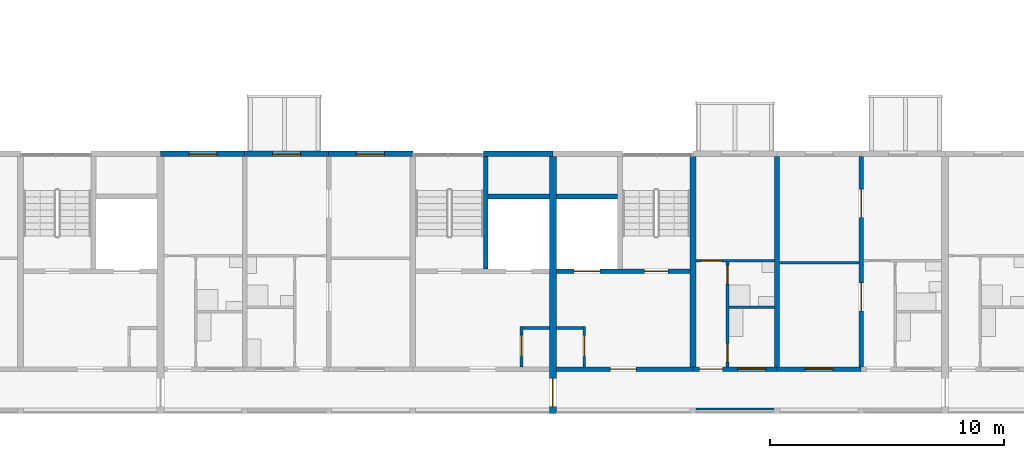
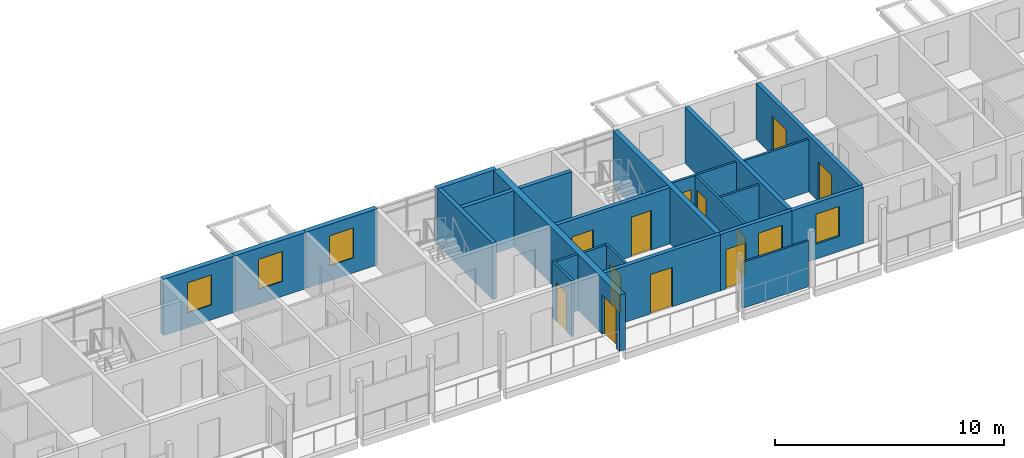
# One storey, part 35 of 94: 24 walls, 12 doors, 5 windows, 17 openings.
"""IFC4 building model written with IfcOpenShell, lengths in metres."""

from ifc_helpers import new_model, si_unit, direction, frame, frame_2d, origin, place, context, subcontext, project, spatial, rectangle, extrude, material, layer, layer_set, type_object, element, fill, save


model = new_model("IFC4")

# Units and contexts
model_context = context("Model", 3, precision=1e-05, world=origin(), true_north=direction((0.0, 1.0)))
body_context = subcontext(model_context, "Body", "Model", "MODEL_VIEW")
ifc_project = project(units=[si_unit("LENGTHUNIT", "METRE"), si_unit("AREAUNIT", "SQUARE_METRE"), si_unit("VOLUMEUNIT", "CUBIC_METRE"), si_unit("PLANEANGLEUNIT", "RADIAN"), si_unit("MASSUNIT", "GRAM", prefix="KILO")], contexts=[model_context])

# Site, building, storey
site_placement = place(None, origin())
site = spatial("IfcSite", under=ifc_project, at=site_placement, CompositionType="ELEMENT")
building_placement = place(site_placement, origin())
building = spatial("IfcBuilding", under=site, at=building_placement, Name="Ridgestep Commons", CompositionType="ELEMENT")
storey_placement = place(building_placement, frame((0.0, 0.0, 24.0)))
storey = spatial("IfcBuildingStorey", under=building, at=storey_placement, Name="L08", CompositionType="ELEMENT", Elevation=24.0)

# Wall
ifc_material_1 = material(Name="Concrete C30/37", Category="concrete")
ifc_layer_1 = layer(ifc_material_1, 0.25)
ifc_layer_set_1 = layer_set([ifc_layer_1], Name="Core cross wall 250")
wall_type_1 = type_object("IfcWallType", Name="Core cross wall 250", PredefinedType="SHEAR", material=ifc_layer_set_1)
wall_1_placement = place(storey_placement, frame((51.60009765625, 13.75, 0.0), z_axis=(0.0, 0.0, 1.0), x_axis=(0.0, 1.0, 0.0)))
element("IfcWall", 1, at=wall_1_placement, inside=storey, type_object=wall_type_1, Name="Cross wall A-08-0516", PredefinedType="SHEAR", context=body_context, shape_type="SweptSolid", body=[
    extrude(rectangle(XDim=9.0, YDim=0.25, at=frame_2d((4.5, 0.0))), origin(), (0.0, 0.0, 1.0), 3.0),
])

# Wall, opening, door
ifc_material_2 = material(Name="Concrete C30/37", Category="concrete")
ifc_layer_2 = layer(ifc_material_2, 0.199951171875)
ifc_layer_set_2 = layer_set([ifc_layer_2], Name="Core south wall 200")
wall_type_2 = type_object("IfcWallType", Name="Core south wall 200", PredefinedType="SHEAR", material=ifc_layer_set_2)
wall_2_placement = place(storey_placement, frame((45.75, 13.64990234375, 0.0), z_axis=(0.0, 0.0, 1.0), x_axis=(1.0, 0.0, 0.0)))
wall_2 = element("IfcWall", 2, at=wall_2_placement, inside=storey, type_object=wall_type_2, Name="Core south wall A3C L08", PredefinedType="SHEAR", context=body_context, shape_type="SweptSolid", body=[
    extrude(rectangle(XDim=5.85009765625, YDim=0.199951171875, at=frame_2d((2.925048828125, 0.0))), origin(), (0.0, 0.0, 1.0), 3.0),
])
opening_1_placement = place(wall_2_placement, frame((2.3125, 0.0, 0.0)))
opening_1 = element("IfcOpeningElement", 3, at=opening_1_placement, cuts=wall_2, Name="Opening A3C/08/1", PredefinedType="OPENING", context=body_context, shape_type="SweptSolid", body=[
    extrude(rectangle(XDim=1.10009765625, YDim=2.10009765625, at=frame_2d((0.550048828125, 1.050048828125))), frame((0.0, 0.10986328125, 0.0), z_axis=(0.0, -1.0, 0.0), x_axis=(1.0, 0.0, 0.0)), (0.0, 0.0, 1.0), 0.219970703125),
])
ifc_material_3 = material(Name="Steel fire door", Category="steel")
door_type_1 = type_object("IfcDoorType", Name="Lobby door 1100 x 2100 FD60", OperationType="NOTDEFINED", PredefinedType="DOOR", material=ifc_material_3)
door_1_placement = place(opening_1_placement, origin())
door_1 = element("IfcDoor", 4, at=door_1_placement, inside=storey, type_object=door_type_1, Name="Lobby door A3C/08/1", OperationType="SINGLE_SWING_LEFT", OverallHeight=2.10009765625, OverallWidth=1.10009765625, PredefinedType="DOOR", context=body_context, shape_type="SweptSolid", body=[
    extrude(rectangle(XDim=1.10009765625, YDim=2.10009765625, at=frame_2d((0.550048828125, 1.050048828125))), frame((0.0, 0.02490234375, 0.0), z_axis=(0.0, -1.0, 0.0), x_axis=(1.0, 0.0, 0.0)), (0.0, 0.0, 1.0), 0.050048828125),
])
fill(opening_1, door_1)

ifc_material_4 = material(Name="Concrete C30/37", Category="concrete")
ifc_layer_3 = layer(ifc_material_4, 0.1201171875)
ifc_layer_set_3 = layer_set([ifc_layer_3], Name="Core wall 120")
wall_type_3 = type_object("IfcWallType", Name="Core wall 120", PredefinedType="SHEAR", material=ifc_layer_set_3)
wall_3_placement = place(storey_placement, frame((44.260009765625, 13.75, 0.0), z_axis=(0.0, 0.0, 1.0), x_axis=(0.0, 1.0, 0.0)))
wall_3 = element("IfcWall", 5, at=wall_3_placement, inside=storey, type_object=wall_type_3, Name="Core riser w wall A2C L08", PredefinedType="SHEAR", context=body_context, shape_type="SweptSolid", body=[
    extrude(rectangle(XDim=1.719970703125, YDim=0.1201171875, at=frame_2d((0.85986328125, 0.0))), origin(), (0.0, 0.0, 1.0), 3.0),
])
opening_2_placement = place(wall_3_placement, frame((0.449951171875, 0.0, 0.0)))
opening_2 = element("IfcOpeningElement", 6, at=opening_2_placement, cuts=wall_3, Name="Opening A2C/08/4", PredefinedType="OPENING", context=body_context, shape_type="SweptSolid", body=[
    extrude(rectangle(XDim=0.89990234375, YDim=2.10009765625, at=frame_2d((0.449951171875, 1.050048828125))), frame((0.0, 0.070068359375, 0.0), z_axis=(0.0, -1.0, 0.0), x_axis=(1.0, 0.0, 0.0)), (0.0, 0.0, 1.0), 0.14013671875),
])
ifc_material_5 = material(Name="Steel fire door", Category="steel")
door_type_2 = type_object("IfcDoorType", Name="Riser door 900 x 2100 FD60", OperationType="NOTDEFINED", PredefinedType="DOOR", material=ifc_material_5)
door_2_placement = place(opening_2_placement, origin())
door_2 = element("IfcDoor", 7, at=door_2_placement, inside=storey, type_object=door_type_2, Name="Riser door A2C/08/4", OperationType="SINGLE_SWING_LEFT", OverallHeight=2.10009765625, OverallWidth=0.89990234375, PredefinedType="DOOR", context=body_context, shape_type="SweptSolid", body=[
    extrude(rectangle(XDim=0.89990234375, YDim=2.10009765625, at=frame_2d((0.449951171875, 1.050048828125))), frame((0.0, 0.02490234375, 0.0), z_axis=(0.0, -1.0, 0.0), x_axis=(1.0, 0.0, 0.0)), (0.0, 0.0, 1.0), 0.050048828125),
])
fill(opening_2, door_2)

# Wall
wall_4_placement = place(storey_placement, frame((44.320068359375, 15.409912109375, 0.0), z_axis=(0.0, 0.0, 1.0), x_axis=(1.0, 0.0, 0.0)))
element("IfcWall", 8, at=wall_4_placement, inside=storey, type_object=wall_type_3, Name="Core riser n wall A2C L08", PredefinedType="SHEAR", context=body_context, shape_type="SweptSolid", body=[
    extrude(rectangle(XDim=1.1298828125, YDim=0.1201171875, at=frame_2d((0.56494140625, 0.0))), origin(), (0.0, 0.0, 1.0), 3.0),
])

# Wall, opening, door
wall_5_placement = place(storey_placement, frame((46.93994140625, 13.75, 0.0), z_axis=(0.0, 0.0, 1.0), x_axis=(0.0, 1.0, 0.0)))
wall_5 = element("IfcWall", 9, at=wall_5_placement, inside=storey, type_object=wall_type_3, Name="Core riser w wall A3C L08", PredefinedType="SHEAR", context=body_context, shape_type="SweptSolid", body=[
    extrude(rectangle(XDim=1.719970703125, YDim=0.1201171875, at=frame_2d((0.85986328125, 0.0))), origin(), (0.0, 0.0, 1.0), 3.0),
])
opening_3_placement = place(wall_5_placement, frame((0.449951171875, 0.0, 0.0)))
opening_3 = element("IfcOpeningElement", 10, at=opening_3_placement, cuts=wall_5, Name="Opening A3C/08/4", PredefinedType="OPENING", context=body_context, shape_type="SweptSolid", body=[
    extrude(rectangle(XDim=0.89990234375, YDim=2.10009765625, at=frame_2d((0.449951171875, 1.050048828125))), frame((0.0, 0.070068359375, 0.0), z_axis=(0.0, -1.0, 0.0), x_axis=(1.0, 0.0, 0.0)), (0.0, 0.0, 1.0), 0.14013671875),
])
door_3_placement = place(opening_3_placement, origin())
door_3 = element("IfcDoor", 11, at=door_3_placement, inside=storey, type_object=door_type_2, Name="Riser door A3C/08/4", OperationType="SINGLE_SWING_RIGHT", OverallHeight=2.10009765625, OverallWidth=0.89990234375, PredefinedType="DOOR", context=body_context, shape_type="SweptSolid", body=[
    extrude(rectangle(XDim=0.89990234375, YDim=2.10009765625, at=frame_2d((0.449951171875, 1.050048828125))), frame((0.0, 0.02490234375, 0.0), z_axis=(0.0, -1.0, 0.0), x_axis=(1.0, 0.0, 0.0)), (0.0, 0.0, 1.0), 0.050048828125),
])
fill(opening_3, door_3)

# Walls
wall_6_placement = place(storey_placement, frame((45.75, 15.409912109375, 0.0), z_axis=(0.0, 0.0, 1.0), x_axis=(1.0, 0.0, 0.0)))
element("IfcWall", 12, at=wall_6_placement, inside=storey, type_object=wall_type_3, Name="Core riser n wall A3C L08", PredefinedType="SHEAR", context=body_context, shape_type="SweptSolid", body=[
    extrude(rectangle(XDim=1.1298828125, YDim=0.1201171875, at=frame_2d((0.56494140625, 0.0))), origin(), (0.0, 0.0, 1.0), 3.0),
])
ifc_material_6 = material(Name="Concrete C30/37", Category="concrete")
ifc_layer_4 = layer(ifc_material_6, 0.199951171875)
ifc_layer_set_4 = layer_set([ifc_layer_4], Name="Core wall 200")
wall_type_4 = type_object("IfcWallType", Name="Core wall 200", PredefinedType="SHEAR", material=ifc_layer_set_4)
wall_7_placement = place(storey_placement, frame((42.72509765625, 17.949951171875, 0.0), z_axis=(0.0, 0.0, 1.0), x_axis=(0.0, 1.0, 0.0)))
element("IfcWall", 13, at=wall_7_placement, inside=storey, type_object=wall_type_4, Name="Core stair wall A2C L08", PredefinedType="SHEAR", context=body_context, shape_type="SweptSolid", body=[
    extrude(rectangle(XDim=4.800048828125, YDim=0.199951171875, at=frame_2d((2.39990234375, 0.0))), origin(), (0.0, 0.0, 1.0), 3.0),
])
wall_8_placement = place(storey_placement, frame((42.824951171875, 21.050048828125, 0.0), z_axis=(0.0, 0.0, 1.0), x_axis=(1.0, 0.0, 0.0)))
element("IfcWall", 14, at=wall_8_placement, inside=storey, type_object=wall_type_4, Name="Core duct wall A2C L08", PredefinedType="SHEAR", context=body_context, shape_type="SweptSolid", body=[
    extrude(rectangle(XDim=2.625, YDim=0.199951171875, at=frame_2d((1.3125, 0.0))), origin(), (0.0, 0.0, 1.0), 3.0),
])

# Wall, openings, doors
wall_9_placement = place(storey_placement, frame((45.75, 17.85009765625, 0.0), z_axis=(0.0, 0.0, 1.0), x_axis=(1.0, 0.0, 0.0)))
wall_9 = element("IfcWall", 15, at=wall_9_placement, inside=storey, type_object=wall_type_4, Name="Core lobby wall A3C L08", PredefinedType="SHEAR", context=body_context, shape_type="SweptSolid", body=[
    extrude(rectangle(XDim=5.72509765625, YDim=0.199951171875, at=frame_2d((2.862548828125, 0.0))), origin(), (0.0, 0.0, 1.0), 3.0),
])
opening_4_placement = place(wall_9_placement, frame((3.77490234375, 0.0, 0.0)))
opening_4 = element("IfcOpeningElement", 16, at=opening_4_placement, cuts=wall_9, Name="Opening A3C/08/2", PredefinedType="OPENING", context=body_context, shape_type="SweptSolid", body=[
    extrude(rectangle(XDim=1.0, YDim=2.10009765625, at=frame_2d((0.5, 1.050048828125))), frame((0.0, 0.10986328125, 0.0), z_axis=(0.0, -1.0, 0.0), x_axis=(1.0, 0.0, 0.0)), (0.0, 0.0, 1.0), 0.219970703125),
])
opening_5_placement = place(wall_9_placement, frame((0.762451171875, 0.0, 0.0)))
opening_5 = element("IfcOpeningElement", 17, at=opening_5_placement, cuts=wall_9, Name="Opening A3C/08/3", PredefinedType="OPENING", context=body_context, shape_type="SweptSolid", body=[
    extrude(rectangle(XDim=1.10009765625, YDim=2.10009765625, at=frame_2d((0.550048828125, 1.050048828125))), frame((0.0, 0.10986328125, 0.0), z_axis=(0.0, -1.0, 0.0), x_axis=(1.0, 0.0, 0.0)), (0.0, 0.0, 1.0), 0.219970703125),
])
ifc_material_7 = material(Name="Stainless steel", Category="steel")
door_type_3 = type_object("IfcDoorType", Name="Lift landing door 1100 x 2100 FD60", OperationType="DOUBLE_DOOR_SLIDING", PredefinedType="DOOR", material=ifc_material_7)
door_4_placement = place(opening_5_placement, origin())
door_4 = element("IfcDoor", 18, at=door_4_placement, inside=storey, type_object=door_type_3, Name="Landing door LD A3C L08", OperationType="DOUBLE_DOOR_SLIDING", OverallHeight=2.10009765625, OverallWidth=1.10009765625, PredefinedType="DOOR", context=body_context, shape_type="SweptSolid", body=[
    extrude(rectangle(XDim=1.10009765625, YDim=2.10009765625, at=frame_2d((0.550048828125, 1.050048828125))), frame((0.0, 0.02490234375, 0.0), z_axis=(0.0, -1.0, 0.0), x_axis=(1.0, 0.0, 0.0)), (0.0, 0.0, 1.0), 0.050048828125),
])
fill(opening_5, door_4)
ifc_material_8 = material(Name="Steel fire door", Category="steel")
door_type_4 = type_object("IfcDoorType", Name="Stair door 1000 x 2100 FD60", OperationType="NOTDEFINED", PredefinedType="DOOR", material=ifc_material_8)
door_5_placement = place(opening_4_placement, origin())
door_5 = element("IfcDoor", 19, at=door_5_placement, inside=storey, type_object=door_type_4, Name="Stair door A3C/08/2", OperationType="SINGLE_SWING_RIGHT", OverallHeight=2.10009765625, OverallWidth=1.0, PredefinedType="DOOR", context=body_context, shape_type="SweptSolid", body=[
    extrude(rectangle(XDim=1.0, YDim=2.10009765625, at=frame_2d((0.5, 1.050048828125))), frame((0.0, 0.02490234375, 0.0), z_axis=(0.0, -1.0, 0.0), x_axis=(1.0, 0.0, 0.0)), (0.0, 0.0, 1.0), 0.050048828125),
])
fill(opening_4, door_5)

# Walls
wall_10_placement = place(storey_placement, frame((45.75, 21.050048828125, 0.0), z_axis=(0.0, 0.0, 1.0), x_axis=(1.0, 0.0, 0.0)))
element("IfcWall", 20, at=wall_10_placement, inside=storey, type_object=wall_type_4, Name="Core duct wall A3C L08", PredefinedType="SHEAR", context=body_context, shape_type="SweptSolid", body=[
    extrude(rectangle(XDim=2.625, YDim=0.199951171875, at=frame_2d((1.3125, 0.0))), origin(), (0.0, 0.0, 1.0), 3.0),
])
ifc_material_9 = material(Name="Precast concrete C40/50", Category="concrete")
ifc_layer_5 = layer(ifc_material_9, 0.199951171875)
ifc_layer_set_5 = layer_set([ifc_layer_5], Name="Cross wall 200")
wall_type_5 = type_object("IfcWallType", Name="Cross wall 200", PredefinedType="SHEAR", material=ifc_layer_set_5)
wall_11_placement = place(storey_placement, frame((55.199951171875, 13.75, 0.0), z_axis=(0.0, 0.0, 1.0), x_axis=(0.0, 1.0, 0.0)))
element("IfcWall", 21, at=wall_11_placement, inside=storey, type_object=wall_type_5, Name="Cross wall A-08-0552", PredefinedType="SHEAR", context=body_context, shape_type="SweptSolid", body=[
    extrude(rectangle(XDim=9.0, YDim=0.199951171875, at=frame_2d((4.5, 0.0))), origin(), (0.0, 0.0, 1.0), 3.0),
])

# Wall, openings, doors
wall_12_placement = place(storey_placement, frame((58.800048828125, 13.75, 0.0), z_axis=(0.0, 0.0, 1.0), x_axis=(0.0, 1.0, 0.0)))
wall_12 = element("IfcWall", 22, at=wall_12_placement, inside=storey, type_object=wall_type_5, Name="Cross wall A-08-0588", PredefinedType="SHEAR", context=body_context, shape_type="SweptSolid", body=[
    extrude(rectangle(XDim=9.0, YDim=0.199951171875, at=frame_2d((4.5, 0.0))), origin(), (0.0, 0.0, 1.0), 3.0),
])
opening_6_placement = place(wall_12_placement, frame((2.39990234375, 0.0, 0.0)))
opening_6 = element("IfcOpeningElement", 23, at=opening_6_placement, cuts=wall_12, Name="Opening A3-08a/5", PredefinedType="OPENING", context=body_context, shape_type="SweptSolid", body=[
    extrude(rectangle(XDim=1.199951171875, YDim=2.10009765625, at=frame_2d((0.60009765625, 1.050048828125))), frame((0.0, 0.10986328125, 0.0), z_axis=(0.0, -1.0, 0.0), x_axis=(1.0, 0.0, 0.0)), (0.0, 0.0, 1.0), 0.219970703125),
])
opening_7_placement = place(wall_12_placement, frame((6.39990234375, 0.0, 0.0)))
opening_7 = element("IfcOpeningElement", 24, at=opening_7_placement, cuts=wall_12, Name="Opening A3-08a/6", PredefinedType="OPENING", context=body_context, shape_type="SweptSolid", body=[
    extrude(rectangle(XDim=1.199951171875, YDim=2.10009765625, at=frame_2d((0.60009765625, 1.050048828125))), frame((0.0, 0.10986328125, 0.0), z_axis=(0.0, -1.0, 0.0), x_axis=(1.0, 0.0, 0.0)), (0.0, 0.0, 1.0), 0.219970703125),
])
ifc_material_10 = material(Name="Timber door leaf", Category="wood")
door_type_5 = type_object("IfcDoorType", Name="Double door 1200 x 2100", OperationType="DOUBLE_DOOR_SINGLE_SWING", PredefinedType="DOOR", material=ifc_material_10)
door_6_placement = place(opening_6_placement, origin())
door_6 = element("IfcDoor", 25, at=door_6_placement, inside=storey, type_object=door_type_5, Name="Double door A3-08a/5", OperationType="DOUBLE_DOOR_SINGLE_SWING", OverallHeight=2.10009765625, OverallWidth=1.199951171875, PredefinedType="DOOR", context=body_context, shape_type="SweptSolid", body=[
    extrude(rectangle(XDim=1.199951171875, YDim=2.10009765625, at=frame_2d((0.60009765625, 1.050048828125))), frame((0.0, 0.02490234375, 0.0), z_axis=(0.0, -1.0, 0.0), x_axis=(1.0, 0.0, 0.0)), (0.0, 0.0, 1.0), 0.050048828125),
])
fill(opening_6, door_6)
door_7_placement = place(opening_7_placement, origin())
door_7 = element("IfcDoor", 26, at=door_7_placement, inside=storey, type_object=door_type_5, Name="Double door A3-08a/6", OperationType="DOUBLE_DOOR_SINGLE_SWING", OverallHeight=2.10009765625, OverallWidth=1.199951171875, PredefinedType="DOOR", context=body_context, shape_type="SweptSolid", body=[
    extrude(rectangle(XDim=1.199951171875, YDim=2.10009765625, at=frame_2d((0.60009765625, 1.050048828125))), frame((0.0, 0.02490234375, 0.0), z_axis=(0.0, -1.0, 0.0), x_axis=(1.0, 0.0, 0.0)), (0.0, 0.0, 1.0), 0.050048828125),
])
fill(opening_7, door_7)

# Wall, opening, door
ifc_material_11 = material(Name="Precast concrete C40/50", Category="concrete")
ifc_layer_6 = layer(ifc_material_11, 0.300048828125)
ifc_layer_set_6 = layer_set([ifc_layer_6], Name="Division wall 300")
wall_type_6 = type_object("IfcWallType", Name="Division wall 300", PredefinedType="SHEAR", material=ifc_layer_set_6)
wall_13_placement = place(storey_placement, frame((45.60009765625, 11.75, 0.0), z_axis=(0.0, 0.0, 1.0), x_axis=(0.0, 1.0, 0.0)))
wall_13 = element("IfcWall", 27, at=wall_13_placement, inside=storey, type_object=wall_type_6, Name="Cross wall A-08-0456", PredefinedType="SHEAR", context=body_context, shape_type="SweptSolid", body=[
    extrude(rectangle(XDim=11.0, YDim=0.300048828125, at=frame_2d((5.5, 0.0))), origin(), (0.0, 0.0, 1.0), 3.0),
])
opening_8_placement = place(wall_13_placement, frame((0.300048828125, 0.0, 0.0)))
opening_8 = element("IfcOpeningElement", 28, at=opening_8_placement, cuts=wall_13, Name="Opening A/08/G0456", PredefinedType="OPENING", context=body_context, shape_type="SweptSolid", body=[
    extrude(rectangle(XDim=1.199951171875, YDim=2.10009765625, at=frame_2d((0.60009765625, 1.050048828125))), frame((0.0, 0.159912109375, 0.0), z_axis=(0.0, -1.0, 0.0), x_axis=(1.0, 0.0, 0.0)), (0.0, 0.0, 1.0), 0.320068359375),
])
ifc_material_12 = material(Name="Steel fire door", Category="steel")
door_type_6 = type_object("IfcDoorType", Name="Division fire door 1200 x 2100 EI 240", OperationType="DOUBLE_DOOR_SINGLE_SWING", PredefinedType="DOOR", material=ifc_material_12)
door_8_placement = place(opening_8_placement, origin())
door_8 = element("IfcDoor", 29, at=door_8_placement, inside=storey, type_object=door_type_6, Name="Division fire door A/08/G0456", OperationType="DOUBLE_DOOR_SINGLE_SWING", OverallHeight=2.10009765625, OverallWidth=1.199951171875, PredefinedType="DOOR", context=body_context, shape_type="SweptSolid", body=[
    extrude(rectangle(XDim=1.199951171875, YDim=2.10009765625, at=frame_2d((0.60009765625, 1.050048828125))), frame((0.0, 0.02490234375, 0.0), z_axis=(0.0, -1.0, 0.0), x_axis=(1.0, 0.0, 0.0)), (0.0, 0.0, 1.0), 0.050048828125),
])
fill(opening_8, door_8)

# Wall, opening, window
ifc_material_13 = material(Name="Precast concrete C40/50", Category="concrete")
ifc_layer_7 = layer(ifc_material_13, 0.25)
ifc_layer_set_7 = layer_set([ifc_layer_7], Name="North facade panel 250")
wall_type_7 = type_object("IfcWallType", Name="North facade panel 250", PredefinedType="SOLIDWALL", material=ifc_layer_set_7)
wall_14_placement = place(storey_placement, frame((28.800048828125, 22.875, 0.0), z_axis=(0.0, 0.0, 1.0), x_axis=(1.0, 0.0, 0.0)))
wall_14 = element("IfcWall", 30, at=wall_14_placement, inside=storey, type_object=wall_type_7, Name="North panel A2T1 L08", PredefinedType="SOLIDWALL", context=body_context, shape_type="SweptSolid", body=[
    extrude(rectangle(XDim=3.599853515625, YDim=0.25, at=frame_2d((1.7998046875, 0.0))), origin(), (0.0, 0.0, 1.0), 3.0),
])
opening_9_placement = place(wall_14_placement, frame((1.22509765625, 0.0, 0.800048828125)))
opening_9 = element("IfcOpeningElement", 31, at=opening_9_placement, cuts=wall_14, Name="Opening W11", PredefinedType="OPENING", context=body_context, shape_type="SweptSolid", body=[
    extrude(rectangle(XDim=1.199951171875, YDim=1.60009765625, at=frame_2d((0.60009765625, 0.800048828125))), frame((0.0, 0.135009765625, 0.0), z_axis=(0.0, -1.0, 0.0), x_axis=(1.0, 0.0, 0.0)), (0.0, 0.0, 1.0), 0.27001953125),
])
ifc_material_14 = material(Name="Aluminium 6063-T6 and glass", Category="aluminium")
window_type_1 = type_object("IfcWindowType", Name="Flat window 1200 x 1600", PartitioningType="SINGLE_PANEL", PredefinedType="WINDOW", material=ifc_material_14)
window_1_placement = place(opening_9_placement, origin())
window_1 = element("IfcWindow", 32, at=window_1_placement, inside=storey, type_object=window_type_1, Name="Window A2-08a 2", OverallHeight=1.60009765625, OverallWidth=1.199951171875, PartitioningType="SINGLE_PANEL", PredefinedType="WINDOW", context=body_context, shape_type="SweptSolid", body=[
    extrude(rectangle(XDim=1.199951171875, YDim=1.60009765625, at=frame_2d((0.60009765625, 0.800048828125))), frame((0.0, -0.02490234375, 0.0), z_axis=(0.0, -1.0, 0.0), x_axis=(1.0, 0.0, 0.0)), (0.0, 0.0, 1.0), 0.06005859375),
])
fill(opening_9, window_1)

wall_15_placement = place(storey_placement, frame((32.39990234375, 22.875, 0.0), z_axis=(0.0, 0.0, 1.0), x_axis=(1.0, 0.0, 0.0)))
wall_15 = element("IfcWall", 33, at=wall_15_placement, inside=storey, type_object=wall_type_7, Name="North panel A2T2 L08", PredefinedType="SOLIDWALL", context=body_context, shape_type="SweptSolid", body=[
    extrude(rectangle(XDim=3.60009765625, YDim=0.25, at=frame_2d((1.800048828125, 0.0))), origin(), (0.0, 0.0, 1.0), 3.0),
])
opening_10_placement = place(wall_15_placement, frame((1.199951171875, 0.0, 0.800048828125)))
opening_10 = element("IfcOpeningElement", 34, at=opening_10_placement, cuts=wall_15, Name="Opening W11", PredefinedType="OPENING", context=body_context, shape_type="SweptSolid", body=[
    extrude(rectangle(XDim=1.199951171875, YDim=1.60009765625, at=frame_2d((0.60009765625, 0.800048828125))), frame((0.0, 0.135009765625, 0.0), z_axis=(0.0, -1.0, 0.0), x_axis=(1.0, 0.0, 0.0)), (0.0, 0.0, 1.0), 0.27001953125),
])
window_2_placement = place(opening_10_placement, origin())
window_2 = element("IfcWindow", 35, at=window_2_placement, inside=storey, type_object=window_type_1, Name="Window A2-08b 4", OverallHeight=1.60009765625, OverallWidth=1.199951171875, PartitioningType="SINGLE_PANEL", PredefinedType="WINDOW", context=body_context, shape_type="SweptSolid", body=[
    extrude(rectangle(XDim=1.199951171875, YDim=1.60009765625, at=frame_2d((0.60009765625, 0.800048828125))), frame((0.0, -0.02490234375, 0.0), z_axis=(0.0, -1.0, 0.0), x_axis=(1.0, 0.0, 0.0)), (0.0, 0.0, 1.0), 0.06005859375),
])
fill(opening_10, window_2)

wall_16_placement = place(storey_placement, frame((36.0, 22.875, 0.0), z_axis=(0.0, 0.0, 1.0), x_axis=(1.0, 0.0, 0.0)))
wall_16 = element("IfcWall", 36, at=wall_16_placement, inside=storey, type_object=wall_type_7, Name="North panel A2T3 L08", PredefinedType="SOLIDWALL", context=body_context, shape_type="SweptSolid", body=[
    extrude(rectangle(XDim=3.60009765625, YDim=0.25, at=frame_2d((1.800048828125, 0.0))), origin(), (0.0, 0.0, 1.0), 3.0),
])
opening_11_placement = place(wall_16_placement, frame((1.1875, 0.0, 0.800048828125)))
opening_11 = element("IfcOpeningElement", 37, at=opening_11_placement, cuts=wall_16, Name="Opening W11", PredefinedType="OPENING", context=body_context, shape_type="SweptSolid", body=[
    extrude(rectangle(XDim=1.199951171875, YDim=1.60009765625, at=frame_2d((0.60009765625, 0.800048828125))), frame((0.0, 0.135009765625, 0.0), z_axis=(0.0, -1.0, 0.0), x_axis=(1.0, 0.0, 0.0)), (0.0, 0.0, 1.0), 0.27001953125),
])
window_3_placement = place(opening_11_placement, origin())
window_3 = element("IfcWindow", 38, at=window_3_placement, inside=storey, type_object=window_type_1, Name="Window A2-08b 2", OverallHeight=1.60009765625, OverallWidth=1.199951171875, PartitioningType="SINGLE_PANEL", PredefinedType="WINDOW", context=body_context, shape_type="SweptSolid", body=[
    extrude(rectangle(XDim=1.199951171875, YDim=1.60009765625, at=frame_2d((0.60009765625, 0.800048828125))), frame((0.0, -0.02490234375, 0.0), z_axis=(0.0, -1.0, 0.0), x_axis=(1.0, 0.0, 0.0)), (0.0, 0.0, 1.0), 0.06005859375),
])
fill(opening_11, window_3)

# Walls
wall_17_placement = place(storey_placement, frame((42.625, 22.875, 0.0), z_axis=(0.0, 0.0, 1.0), x_axis=(1.0, 0.0, 0.0)))
element("IfcWall", 39, at=wall_17_placement, inside=storey, type_object=wall_type_7, Name="North panel A2C L08", PredefinedType="SOLIDWALL", context=body_context, shape_type="SweptSolid", body=[
    extrude(rectangle(XDim=2.97509765625, YDim=0.25, at=frame_2d((1.487548828125, 0.0))), origin(), (0.0, 0.0, 1.0), 3.0),
])
ifc_material_15 = material(Name="Common brick 110 mm", Category="masonry")
ifc_layer_8 = layer(ifc_material_15, 0.110107421875)
ifc_layer_set_8 = layer_set([ifc_layer_8], Name="Partition 110")
wall_type_8 = type_object("IfcWallType", Name="Partition 110", PredefinedType="PARTITIONING", material=ifc_layer_set_8)
wall_18_placement = place(storey_placement, frame((55.300048828125, 18.205078125, 0.0), z_axis=(0.0, 0.0, 1.0), x_axis=(1.0, 0.0, 0.0)))
element("IfcWall", 40, at=wall_18_placement, inside=storey, type_object=wall_type_8, Name="Partition A3-08a", PredefinedType="PARTITIONING", context=body_context, shape_type="SweptSolid", body=[
    extrude(rectangle(XDim=3.39990234375, YDim=0.110107421875, at=frame_2d((1.699951171875, 0.0))), origin(), (0.0, 0.0, 1.0), 2.800048828125),
])

# Wall, openings, doors
wall_19_placement = place(storey_placement, frame((53.080078125, 13.75, 0.0), z_axis=(0.0, 0.0, 1.0), x_axis=(0.0, 1.0, 0.0)))
wall_19 = element("IfcWall", 41, at=wall_19_placement, inside=storey, type_object=wall_type_8, Name="Partition A3-08b", PredefinedType="PARTITIONING", context=body_context, shape_type="SweptSolid", body=[
    extrude(rectangle(XDim=4.5, YDim=0.110107421875, at=frame_2d((2.25, 0.0))), origin(), (0.0, 0.0, 1.0), 2.800048828125),
])
opening_12_placement = place(wall_19_placement, frame((0.199951171875, 0.0, 0.0)))
opening_12 = element("IfcOpeningElement", 42, at=opening_12_placement, cuts=wall_19, Name="Opening A3-08b/2", PredefinedType="OPENING", context=body_context, shape_type="SweptSolid", body=[
    extrude(rectangle(XDim=0.800048828125, YDim=2.10009765625, at=frame_2d((0.39990234375, 1.050048828125))), frame((0.0, 0.06494140625, 0.0), z_axis=(0.0, -1.0, 0.0), x_axis=(1.0, 0.0, 0.0)), (0.0, 0.0, 1.0), 0.130126953125),
])
opening_13_placement = place(wall_19_placement, frame((3.550048828125, 0.0, 0.0)))
opening_13 = element("IfcOpeningElement", 43, at=opening_13_placement, cuts=wall_19, Name="Opening A3-08b/3", PredefinedType="OPENING", context=body_context, shape_type="SweptSolid", body=[
    extrude(rectangle(XDim=0.800048828125, YDim=2.10009765625, at=frame_2d((0.39990234375, 1.050048828125))), frame((0.0, 0.06494140625, 0.0), z_axis=(0.0, -1.0, 0.0), x_axis=(1.0, 0.0, 0.0)), (0.0, 0.0, 1.0), 0.130126953125),
])
ifc_material_16 = material(Name="Timber door leaf", Category="wood")
door_type_7 = type_object("IfcDoorType", Name="Internal door 800 x 2100", OperationType="NOTDEFINED", PredefinedType="DOOR", material=ifc_material_16)
door_9_placement = place(opening_12_placement, origin())
door_9 = element("IfcDoor", 44, at=door_9_placement, inside=storey, type_object=door_type_7, Name="Internal door A3-08b/2", OperationType="SINGLE_SWING_RIGHT", OverallHeight=2.10009765625, OverallWidth=0.800048828125, PredefinedType="DOOR", context=body_context, shape_type="SweptSolid", body=[
    extrude(rectangle(XDim=0.800048828125, YDim=2.10009765625, at=frame_2d((0.39990234375, 1.050048828125))), frame((0.0, 0.02490234375, 0.0), z_axis=(0.0, -1.0, 0.0), x_axis=(1.0, 0.0, 0.0)), (0.0, 0.0, 1.0), 0.050048828125),
])
fill(opening_12, door_9)
door_10_placement = place(opening_13_placement, origin())
door_10 = element("IfcDoor", 45, at=door_10_placement, inside=storey, type_object=door_type_7, Name="Internal door A3-08b/3", OperationType="SINGLE_SWING_LEFT", OverallHeight=2.10009765625, OverallWidth=0.800048828125, PredefinedType="DOOR", context=body_context, shape_type="SweptSolid", body=[
    extrude(rectangle(XDim=0.800048828125, YDim=2.10009765625, at=frame_2d((0.39990234375, 1.050048828125))), frame((0.0, 0.02490234375, 0.0), z_axis=(0.0, -1.0, 0.0), x_axis=(1.0, 0.0, 0.0)), (0.0, 0.0, 1.0), 0.050048828125),
])
fill(opening_13, door_10)

# Wall
wall_20_placement = place(storey_placement, frame((53.135009765625, 16.304931640625, 0.0), z_axis=(0.0, 0.0, 1.0), x_axis=(1.0, 0.0, 0.0)))
element("IfcWall", 46, at=wall_20_placement, inside=storey, type_object=wall_type_8, Name="Partition A3-08b", PredefinedType="PARTITIONING", context=body_context, shape_type="SweptSolid", body=[
    extrude(rectangle(XDim=1.965087890625, YDim=0.110107421875, at=frame_2d((0.982421875, 0.0))), origin(), (0.0, 0.0, 1.0), 2.800048828125),
])

# Wall, opening, door
wall_21_placement = place(storey_placement, frame((51.72509765625, 18.304931640625, 0.0), z_axis=(0.0, 0.0, 1.0), x_axis=(1.0, 0.0, 0.0)))
wall_21 = element("IfcWall", 47, at=wall_21_placement, inside=storey, type_object=wall_type_8, Name="Partition A3-08b", PredefinedType="PARTITIONING", context=body_context, shape_type="SweptSolid", body=[
    extrude(rectangle(XDim=3.375, YDim=0.110107421875, at=frame_2d((1.6875, 0.0))), origin(), (0.0, 0.0, 1.0), 2.800048828125),
])
opening_14_placement = place(wall_21_placement, frame((0.199951171875, 0.0, 0.0)))
opening_14 = element("IfcOpeningElement", 48, at=opening_14_placement, cuts=wall_21, Name="Opening A3-08b/4", PredefinedType="OPENING", context=body_context, shape_type="SweptSolid", body=[
    extrude(rectangle(XDim=0.89990234375, YDim=2.10009765625, at=frame_2d((0.449951171875, 1.050048828125))), frame((0.0, 0.06494140625, 0.0), z_axis=(0.0, -1.0, 0.0), x_axis=(1.0, 0.0, 0.0)), (0.0, 0.0, 1.0), 0.130126953125),
])
ifc_material_17 = material(Name="Timber door leaf", Category="wood")
door_type_8 = type_object("IfcDoorType", Name="Internal door 900 x 2100", OperationType="NOTDEFINED", PredefinedType="DOOR", material=ifc_material_17)
door_11_placement = place(opening_14_placement, origin())
door_11 = element("IfcDoor", 49, at=door_11_placement, inside=storey, type_object=door_type_8, Name="Internal door A3-08b/4", OperationType="SINGLE_SWING_LEFT", OverallHeight=2.10009765625, OverallWidth=0.89990234375, PredefinedType="DOOR", context=body_context, shape_type="SweptSolid", body=[
    extrude(rectangle(XDim=0.89990234375, YDim=2.10009765625, at=frame_2d((0.449951171875, 1.050048828125))), frame((0.0, 0.02490234375, 0.0), z_axis=(0.0, -1.0, 0.0), x_axis=(1.0, 0.0, 0.0)), (0.0, 0.0, 1.0), 0.050048828125),
])
fill(opening_14, door_11)

# Wall
ifc_material_18 = material(Name="Precast concrete C30/37", Category="concrete")
ifc_layer_9 = layer(ifc_material_18, 0.10009765625)
ifc_layer_set_9 = layer_set([ifc_layer_9], Name="Perforated gallery screen 3350 x 2450 x 100")
wall_type_9 = type_object("IfcWallType", Name="Perforated gallery screen 3350 x 2450 x 100", PredefinedType="SOLIDWALL", material=ifc_layer_set_9)
wall_22_placement = place(storey_placement, frame((51.72509765625, 11.949951171875, 0.0), z_axis=(0.0, 0.0, 1.0), x_axis=(1.0, 0.0, 0.0)))
element("IfcWall", 50, at=wall_22_placement, inside=storey, type_object=wall_type_9, Name="Gallery screen A3T3 08", PredefinedType="SOLIDWALL", context=body_context, shape_type="SweptSolid", body=[
    extrude(rectangle(XDim=3.349853515625, YDim=0.10009765625, at=frame_2d((1.6748046875, 0.0))), origin(), (0.0, 0.0, 1.0), 2.449951171875),
])

# Wall, openings, door, window
ifc_material_19 = material(Name="Precast concrete C40/50", Category="concrete")
ifc_layer_10 = layer(ifc_material_19, 0.199951171875)
ifc_layer_set_10 = layer_set([ifc_layer_10], Name="South facade panel 200")
wall_type_10 = type_object("IfcWallType", Name="South facade panel 200", PredefinedType="SOLIDWALL", material=ifc_layer_set_10)
wall_23_placement = place(storey_placement, frame((51.60009765625, 13.64990234375, 0.0), z_axis=(0.0, 0.0, 1.0), x_axis=(1.0, 0.0, 0.0)))
wall_23 = element("IfcWall", 51, at=wall_23_placement, inside=storey, type_object=wall_type_10, Name="South panel A3T3 L08", PredefinedType="SOLIDWALL", context=body_context, shape_type="SweptSolid", body=[
    extrude(rectangle(XDim=3.599853515625, YDim=0.199951171875, at=frame_2d((1.7998046875, 0.0))), origin(), (0.0, 0.0, 1.0), 3.0),
])
opening_15_placement = place(wall_23_placement, frame((1.91748046875, 0.0, 1.10009765625)))
opening_15 = element("IfcOpeningElement", 52, at=opening_15_placement, cuts=wall_23, Name="Opening W08", PredefinedType="OPENING", context=body_context, shape_type="SweptSolid", body=[
    extrude(rectangle(XDim=1.199951171875, YDim=1.300048828125, at=frame_2d((0.60009765625, 0.64990234375))), frame((0.0, 0.10986328125, 0.0), z_axis=(0.0, -1.0, 0.0), x_axis=(1.0, 0.0, 0.0)), (0.0, 0.0, 1.0), 0.219970703125),
])
opening_16_placement = place(wall_23_placement, frame((0.27490234375, 0.0, 0.0)))
opening_16 = element("IfcOpeningElement", 53, at=opening_16_placement, cuts=wall_23, Name="Opening A3-08b/1", PredefinedType="OPENING", context=body_context, shape_type="SweptSolid", body=[
    extrude(rectangle(XDim=1.0, YDim=2.10009765625, at=frame_2d((0.5, 1.050048828125))), frame((0.0, 0.10986328125, 0.0), z_axis=(0.0, -1.0, 0.0), x_axis=(1.0, 0.0, 0.0)), (0.0, 0.0, 1.0), 0.219970703125),
])
ifc_material_20 = material(Name="Timber door leaf", Category="wood")
door_type_9 = type_object("IfcDoorType", Name="Flat entrance door 1000 x 2100 FD30S", OperationType="NOTDEFINED", PredefinedType="DOOR", material=ifc_material_20)
door_12_placement = place(opening_16_placement, origin())
door_12 = element("IfcDoor", 54, at=door_12_placement, inside=storey, type_object=door_type_9, Name="Flat entrance door A3-08b/1", OperationType="SINGLE_SWING_LEFT", OverallHeight=2.10009765625, OverallWidth=1.0, PredefinedType="DOOR", context=body_context, shape_type="SweptSolid", body=[
    extrude(rectangle(XDim=1.0, YDim=2.10009765625, at=frame_2d((0.5, 1.050048828125))), frame((0.0, 0.02490234375, 0.0), z_axis=(0.0, -1.0, 0.0), x_axis=(1.0, 0.0, 0.0)), (0.0, 0.0, 1.0), 0.050048828125),
])
fill(opening_16, door_12)
ifc_material_21 = material(Name="Aluminium 6063-T6 and glass", Category="aluminium")
window_type_2 = type_object("IfcWindowType", Name="Flat window 1200 x 1300", PartitioningType="SINGLE_PANEL", PredefinedType="WINDOW", material=ifc_material_21)
window_4_placement = place(opening_15_placement, origin())
window_4 = element("IfcWindow", 55, at=window_4_placement, inside=storey, type_object=window_type_2, Name="Window A3-08b 1", OverallHeight=1.300048828125, OverallWidth=1.199951171875, PartitioningType="SINGLE_PANEL", PredefinedType="WINDOW", context=body_context, shape_type="SweptSolid", body=[
    extrude(rectangle(XDim=1.199951171875, YDim=1.300048828125, at=frame_2d((0.60009765625, 0.64990234375))), frame((0.0, 0.06005859375, 0.0), z_axis=(0.0, -1.0, 0.0), x_axis=(1.0, 0.0, 0.0)), (0.0, 0.0, 1.0), 0.06005859375),
])
fill(opening_15, window_4)

# Wall, opening, window
wall_24_placement = place(storey_placement, frame((55.199951171875, 13.64990234375, 0.0), z_axis=(0.0, 0.0, 1.0), x_axis=(1.0, 0.0, 0.0)))
wall_24 = element("IfcWall", 56, at=wall_24_placement, inside=storey, type_object=wall_type_10, Name="South panel A3T2 L08", PredefinedType="SOLIDWALL", context=body_context, shape_type="SweptSolid", body=[
    extrude(rectangle(XDim=3.60009765625, YDim=0.199951171875, at=frame_2d((1.800048828125, 0.0))), origin(), (0.0, 0.0, 1.0), 3.0),
])
opening_17_placement = place(wall_24_placement, frame((1.199951171875, 0.0, 0.800048828125)))
opening_17 = element("IfcOpeningElement", 57, at=opening_17_placement, cuts=wall_24, Name="Opening W11", PredefinedType="OPENING", context=body_context, shape_type="SweptSolid", body=[
    extrude(rectangle(XDim=1.199951171875, YDim=1.60009765625, at=frame_2d((0.60009765625, 0.800048828125))), frame((0.0, 0.10986328125, 0.0), z_axis=(0.0, -1.0, 0.0), x_axis=(1.0, 0.0, 0.0)), (0.0, 0.0, 1.0), 0.219970703125),
])
window_5_placement = place(opening_17_placement, origin())
window_5 = element("IfcWindow", 58, at=window_5_placement, inside=storey, type_object=window_type_1, Name="Window A3-08a 1", OverallHeight=1.60009765625, OverallWidth=1.199951171875, PartitioningType="SINGLE_PANEL", PredefinedType="WINDOW", context=body_context, shape_type="SweptSolid", body=[
    extrude(rectangle(XDim=1.199951171875, YDim=1.60009765625, at=frame_2d((0.60009765625, 0.800048828125))), frame((0.0, 0.06005859375, 0.0), z_axis=(0.0, -1.0, 0.0), x_axis=(1.0, 0.0, 0.0)), (0.0, 0.0, 1.0), 0.06005859375),
])
fill(opening_17, window_5)

save(model, "model.ifc")
